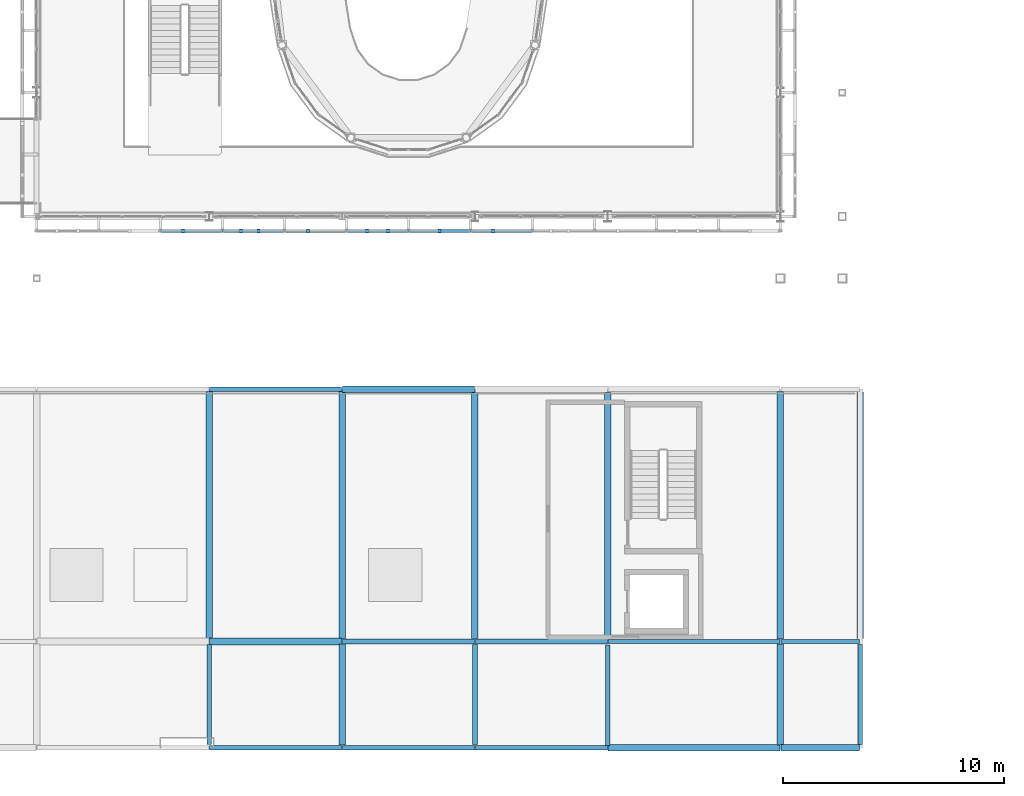
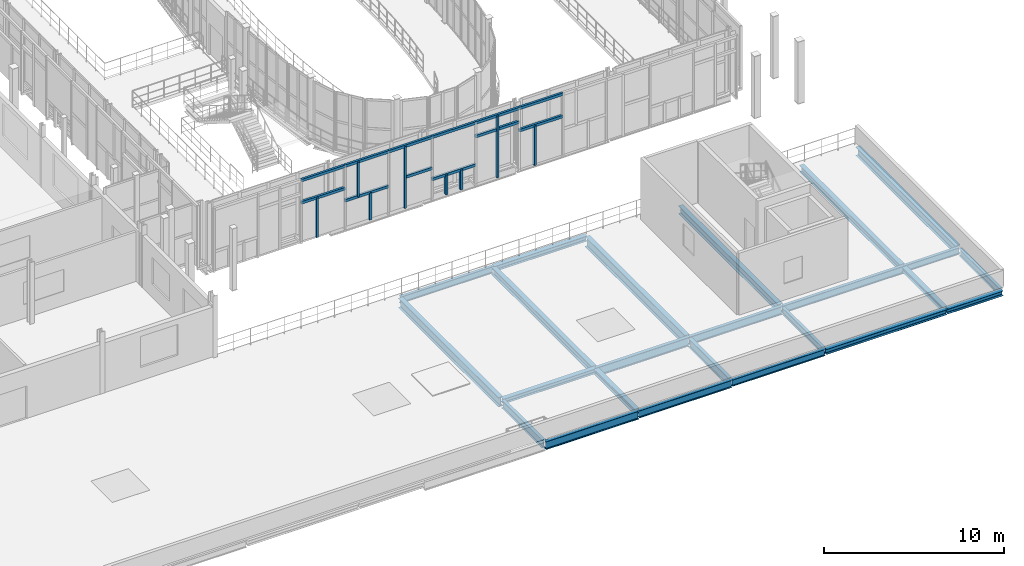
# One storey, part 28 of 138: 24 beams, 20 members.
"""IFC4 building model written with IfcOpenShell, lengths in metres."""

from ifc_helpers import new_model, si_unit, direction, frame, origin, origin_2d, place, context, subcontext, project, spatial, rectangle, i_section, extrude, material, material_profile, profile_set, type_object, element, save


model = new_model("IFC4")

# Units and contexts
model_context = context("Model", 3, precision=1e-05, world=origin(), true_north=direction((0.0, 1.0)))
body_context = subcontext(model_context, "Body", "Model", "MODEL_VIEW")
ifc_project = project(units=[si_unit("LENGTHUNIT", "METRE"), si_unit("AREAUNIT", "SQUARE_METRE"), si_unit("VOLUMEUNIT", "CUBIC_METRE"), si_unit("PLANEANGLEUNIT", "RADIAN"), si_unit("MASSUNIT", "GRAM", prefix="KILO")], contexts=[model_context])

# Site, building, storey
site_placement = place(None, origin())
site = spatial("IfcSite", under=ifc_project, at=site_placement, CompositionType="ELEMENT")
building_placement = place(site_placement, origin())
building = spatial("IfcBuilding", under=site, at=building_placement, Name="Vinh Khe Railworks Police Headquarters", CompositionType="ELEMENT")
storey_placement = place(building_placement, frame((0.0, 0.0, 9.0)))
storey = spatial("IfcBuildingStorey", under=building, at=storey_placement, Name="L02", CompositionType="ELEMENT", Elevation=9.0)

# Members
ifc_material_1 = material(Name="Salvaged ironwood timber", Category="wood")
ifc_material_profile_1 = material_profile(ifc_material_1, rectangle(XDim=0.139892578125, YDim=0.179931640625, at=origin_2d()), Name="TIMBER 140x180")
ifc_profile_set_1 = profile_set([ifc_material_profile_1], Name="Salvaged ironwood timber")
member_type = type_object("IfcMemberType", Name="MEM-QUILT-STILE", PredefinedType="CHORD", material=ifc_profile_set_1)
for number, where, z_axis, x_axis, name in (
    (1, (32.0, 24.550048828125, 4.1201171875), (1.0, 0.0, 0.0), (0.0, 1.0, 0.0), "Salvaged Timber Quilt Transom S-L02-02-TOP"),
    (2, (32.0, 24.550048828125, 2.60400390625), (1.0, 0.0, 0.0), (0.0, 1.0, 0.0), "Salvaged Timber Quilt Transom S-L02-02-M1"),
):
    element("IfcMember", number, at=place(storey_placement, frame(where, z_axis=z_axis, x_axis=x_axis)), inside=storey, type_object=member_type, Name=name, PredefinedType="CHORD", context=body_context, shape_type="SweptSolid", body=[
        extrude(rectangle(XDim=0.139892578125, YDim=0.179931640625, at=origin_2d()), origin(), (0.0, 0.0, 1.0), 2.800048828125),
    ])
member_1_placement = place(storey_placement, frame((33.008056640625, 24.550048828125, -0.080078125), z_axis=(0.0, 0.0, 1.0), x_axis=(1.0, 0.0, 0.0)))
element("IfcMember", 3, at=member_1_placement, inside=storey, type_object=member_type, Name="Salvaged Timber Quilt Stile S-L02-02-V1", PredefinedType="POST", context=body_context, shape_type="SweptSolid", body=[
    extrude(rectangle(XDim=0.139892578125, YDim=0.179931640625, at=origin_2d()), origin(), (0.0, 0.0, 1.0), 2.68408203125),
])
for number, where, z_axis, x_axis, name in (
    (4, (34.800048828125, 24.550048828125, 4.1201171875), (1.0, 0.0, 0.0), (0.0, 1.0, 0.0), "Salvaged Timber Quilt Transom S-L02-03-TOP"),
    (5, (34.800048828125, 24.550048828125, 1.763916015625), (1.0, 0.0, 0.0), (0.0, 1.0, 0.0), "Salvaged Timber Quilt Transom S-L02-03-M1"),
):
    element("IfcMember", number, at=place(storey_placement, frame(where, z_axis=z_axis, x_axis=x_axis)), inside=storey, type_object=member_type, Name=name, PredefinedType="CHORD", context=body_context, shape_type="SweptSolid", body=[
        extrude(rectangle(XDim=0.139892578125, YDim=0.179931640625, at=origin_2d()), origin(), (0.0, 0.0, 1.0), 2.800048828125),
    ])
member_2_placement = place(storey_placement, frame((36.424072265625, 24.550048828125, -0.080078125), z_axis=(0.0, 0.0, 1.0), x_axis=(1.0, 0.0, 0.0)))
element("IfcMember", 6, at=member_2_placement, inside=storey, type_object=member_type, Name="Salvaged Timber Quilt Stile S-L02-03-V1", PredefinedType="POST", context=body_context, shape_type="SweptSolid", body=[
    extrude(rectangle(XDim=0.139892578125, YDim=0.179931640625, at=origin_2d()), origin(), (0.0, 0.0, 1.0), 1.843994140625),
])
member_3_placement = place(storey_placement, frame((35.639892578125, 24.550048828125, 1.763916015625), z_axis=(0.0, 0.0, 1.0), x_axis=(1.0, 0.0, 0.0)))
element("IfcMember", 7, at=member_3_placement, inside=storey, type_object=member_type, Name="Salvaged Timber Quilt Stile S-L02-03-V2", PredefinedType="POST", context=body_context, shape_type="SweptSolid", body=[
    extrude(rectangle(XDim=0.139892578125, YDim=0.179931640625, at=origin_2d()), origin(), (0.0, 0.0, 1.0), 2.356201171875),
])
member_4_placement = place(storey_placement, frame((37.60009765625, 24.550048828125, 4.1201171875), z_axis=(1.0, 0.0, 0.0), x_axis=(0.0, 1.0, 0.0)))
element("IfcMember", 8, at=member_4_placement, inside=storey, type_object=member_type, Name="Salvaged Timber Quilt Transom S-L02-04-TOP", PredefinedType="CHORD", context=body_context, shape_type="SweptSolid", body=[
    extrude(rectangle(XDim=0.139892578125, YDim=0.179931640625, at=origin_2d()), origin(), (0.0, 0.0, 1.0), 2.7998046875),
])
member_5_placement = place(storey_placement, frame((38.6640625, 24.550048828125, -0.080078125), z_axis=(0.0, 0.0, 1.0), x_axis=(1.0, 0.0, 0.0)))
element("IfcMember", 9, at=member_5_placement, inside=storey, type_object=member_type, Name="Salvaged Timber Quilt Stile S-L02-04-V1", PredefinedType="POST", context=body_context, shape_type="SweptSolid", body=[
    extrude(rectangle(XDim=0.139892578125, YDim=0.179931640625, at=origin_2d()), origin(), (0.0, 0.0, 1.0), 4.2001953125),
])
member_6_placement = place(storey_placement, frame((38.6640625, 24.550048828125, 2.01611328125), z_axis=(1.0, 0.0, 0.0), x_axis=(0.0, 1.0, 0.0)))
element("IfcMember", 10, at=member_6_placement, inside=storey, type_object=member_type, Name="Salvaged Timber Quilt Transom S-L02-04-M1", PredefinedType="CHORD", context=body_context, shape_type="SweptSolid", body=[
    extrude(rectangle(XDim=0.139892578125, YDim=0.179931640625, at=origin_2d()), origin(), (0.0, 0.0, 1.0), 1.73583984375),
])
for number, where, z_axis, x_axis, name in (
    (11, (40.39990234375, 24.550048828125, 4.1201171875), (1.0, 0.0, 0.0), (0.0, 1.0, 0.0), "Salvaged Timber Quilt Transom S-L02-05-TOP"),
    (12, (40.39990234375, 24.550048828125, 1.260009765625), (1.0, 0.0, 0.0), (0.0, 1.0, 0.0), "Salvaged Timber Quilt Transom S-L02-05-M1"),
):
    element("IfcMember", number, at=place(storey_placement, frame(where, z_axis=z_axis, x_axis=x_axis)), inside=storey, type_object=member_type, Name=name, PredefinedType="CHORD", context=body_context, shape_type="SweptSolid", body=[
        extrude(rectangle(XDim=0.139892578125, YDim=0.179931640625, at=origin_2d()), origin(), (0.0, 0.0, 1.0), 2.800048828125),
    ])
for number, where, z_axis, x_axis, name in (
    (13, (41.323974609375, 24.550048828125, -0.080078125), (0.0, 0.0, 1.0), (1.0, 0.0, 0.0), "Salvaged Timber Quilt Stile S-L02-05-V1"),
    (14, (42.27587890625, 24.550048828125, -0.080078125), (0.0, 0.0, 1.0), (1.0, 0.0, 0.0), "Salvaged Timber Quilt Stile S-L02-05-V2"),
):
    element("IfcMember", number, at=place(storey_placement, frame(where, z_axis=z_axis, x_axis=x_axis)), inside=storey, type_object=member_type, Name=name, PredefinedType="POST", context=body_context, shape_type="SweptSolid", body=[
        extrude(rectangle(XDim=0.139892578125, YDim=0.179931640625, at=origin_2d()), origin(), (0.0, 0.0, 1.0), 1.340087890625),
    ])
for number, where, z_axis, x_axis, name in (
    (15, (43.199951171875, 24.550048828125, 4.1201171875), (1.0, 0.0, 0.0), (0.0, 1.0, 0.0), "Salvaged Timber Quilt Transom S-L02-06-TOP"),
    (16, (43.199951171875, 24.550048828125, 3.19189453125), (1.0, 0.0, 0.0), (0.0, 1.0, 0.0), "Salvaged Timber Quilt Transom S-L02-06-M1"),
):
    element("IfcMember", number, at=place(storey_placement, frame(where, z_axis=z_axis, x_axis=x_axis)), inside=storey, type_object=member_type, Name=name, PredefinedType="CHORD", context=body_context, shape_type="SweptSolid", body=[
        extrude(rectangle(XDim=0.139892578125, YDim=0.179931640625, at=origin_2d()), origin(), (0.0, 0.0, 1.0), 2.800048828125),
    ])
member_7_placement = place(storey_placement, frame((44.60009765625, 24.550048828125, -0.080078125), z_axis=(0.0, 0.0, 1.0), x_axis=(1.0, 0.0, 0.0)))
element("IfcMember", 17, at=member_7_placement, inside=storey, type_object=member_type, Name="Salvaged Timber Quilt Stile S-L02-06-V1", PredefinedType="POST", context=body_context, shape_type="SweptSolid", body=[
    extrude(rectangle(XDim=0.139892578125, YDim=0.179931640625, at=origin_2d()), origin(), (0.0, 0.0, 1.0), 4.2001953125),
])
for number, where, z_axis, x_axis, name in (
    (18, (46.0, 24.550048828125, 4.1201171875), (1.0, 0.0, 0.0), (0.0, 1.0, 0.0), "Salvaged Timber Quilt Transom S-L02-07-TOP"),
    (19, (46.0, 24.550048828125, 2.60400390625), (1.0, 0.0, 0.0), (0.0, 1.0, 0.0), "Salvaged Timber Quilt Transom S-L02-07-M1"),
):
    element("IfcMember", number, at=place(storey_placement, frame(where, z_axis=z_axis, x_axis=x_axis)), inside=storey, type_object=member_type, Name=name, PredefinedType="CHORD", context=body_context, shape_type="SweptSolid", body=[
        extrude(rectangle(XDim=0.139892578125, YDim=0.179931640625, at=origin_2d()), origin(), (0.0, 0.0, 1.0), 2.800048828125),
    ])
member_8_placement = place(storey_placement, frame((47.008056640625, 24.550048828125, -0.080078125), z_axis=(0.0, 0.0, 1.0), x_axis=(1.0, 0.0, 0.0)))
element("IfcMember", 20, at=member_8_placement, inside=storey, type_object=member_type, Name="Salvaged Timber Quilt Stile S-L02-07-V1", PredefinedType="POST", context=body_context, shape_type="SweptSolid", body=[
    extrude(rectangle(XDim=0.139892578125, YDim=0.179931640625, at=origin_2d()), origin(), (0.0, 0.0, 1.0), 2.68408203125),
])

# Beams
ifc_material_2 = material(Name="Steel S355JR", Category="steel")
ifc_material_profile_2 = material_profile(ifc_material_2, i_section(OverallWidth=0.300048828125, OverallDepth=0.330078125, WebThickness=0.009521484375, FlangeThickness=0.0166015625, FilletRadius=0.027099609375, at=origin_2d()), Name="HEA 340")
ifc_profile_set_2 = profile_set([ifc_material_profile_2], Name="Steel S355JR")
beam_type_1 = type_object("IfcBeamType", Name="Steel Girder HEA 340", PredefinedType="BEAM", material=ifc_profile_set_2)
beam_1_placement = place(storey_placement, frame((60.02001953125, 1.199951171875, -0.385009765625), z_axis=(1.0, 0.0, 0.0), x_axis=(0.0, 1.0, 0.0)))
element("IfcBeam", 21, at=beam_1_placement, inside=storey, type_object=beam_type_1, Name="Girder BM-L02-EW-SB-16-0740", PredefinedType="BEAM", context=body_context, shape_type="SweptSolid", body=[
    extrude(i_section(OverallWidth=0.300048828125, OverallDepth=0.330078125, WebThickness=0.009521484375, FlangeThickness=0.0166015625, FilletRadius=0.027099609375, at=origin_2d()), origin(), (0.0, 0.0, 1.0), 3.56005859375),
])
beam_2_placement = place(storey_placement, frame((34.219970703125, 6.0, -0.385009765625), z_axis=(1.0, 0.0, 0.0), x_axis=(0.0, 1.0, 0.0)))
element("IfcBeam", 22, at=beam_2_placement, inside=storey, type_object=beam_type_1, Name="Girder BM-L02-EW-SB-16-0746", PredefinedType="BEAM", context=body_context, shape_type="SweptSolid", body=[
    extrude(i_section(OverallWidth=0.300048828125, OverallDepth=0.330078125, WebThickness=0.009521484375, FlangeThickness=0.0166015625, FilletRadius=0.027099609375, at=origin_2d()), origin(), (0.0, 0.0, 1.0), 5.9599609375),
])
beam_3_placement = place(storey_placement, frame((60.0, 1.324951171875, -0.385009765625), z_axis=(0.0, 1.0, 0.0), x_axis=(-1.0, 0.0, 0.0)))
element("IfcBeam", 23, at=beam_3_placement, inside=storey, type_object=beam_type_1, Name="Girder BM-L02-NS-SB-16-0962", PredefinedType="BEAM", context=body_context, shape_type="SweptSolid", body=[
    extrude(i_section(OverallWidth=0.300048828125, OverallDepth=0.330078125, WebThickness=0.009521484375, FlangeThickness=0.0166015625, FilletRadius=0.027099609375, at=origin_2d()), origin(), (0.0, 0.0, 1.0), 4.56005859375),
])
ifc_material_profile_3 = material_profile(ifc_material_2, i_section(OverallWidth=0.300048828125, OverallDepth=0.35009765625, WebThickness=0.010009765625, FlangeThickness=0.017578125, FilletRadius=0.027099609375, at=origin_2d()), Name="HEA 360")
ifc_profile_set_3 = profile_set([ifc_material_profile_3], Name="Steel S355JR")
beam_type_2 = type_object("IfcBeamType", Name="Steel Girder HEA 360", PredefinedType="BEAM", material=ifc_profile_set_3)
beam_4_placement = place(storey_placement, frame((52.219970703125, 1.199951171875, -0.39501953125), z_axis=(1.0, 0.0, 0.0), x_axis=(0.0, 1.0, 0.0)))
element("IfcBeam", 24, at=beam_4_placement, inside=storey, type_object=beam_type_2, Name="Girder BM-L02-EW-SB-15-0739", PredefinedType="BEAM", context=body_context, shape_type="SweptSolid", body=[
    extrude(i_section(OverallWidth=0.300048828125, OverallDepth=0.35009765625, WebThickness=0.010009765625, FlangeThickness=0.017578125, FilletRadius=0.027099609375, at=origin_2d()), origin(), (0.0, 0.0, 1.0), 7.760009765625),
])
beam_5_placement = place(storey_placement, frame((40.219970703125, 17.39990234375, -0.39501953125), z_axis=(1.0, 0.0, 0.0), x_axis=(0.0, 1.0, 0.0)))
element("IfcBeam", 25, at=beam_5_placement, inside=storey, type_object=beam_type_2, Name="Girder BM-L02-EW-SB-15-0757", PredefinedType="BEAM", context=body_context, shape_type="SweptSolid", body=[
    extrude(i_section(OverallWidth=0.300048828125, OverallDepth=0.35009765625, WebThickness=0.010009765625, FlangeThickness=0.017578125, FilletRadius=0.027099609375, at=origin_2d()), origin(), (0.0, 0.0, 1.0), 5.9599609375),
])
beam_6_placement = place(storey_placement, frame((40.199951171875, 1.324951171875, -0.39501953125), z_axis=(0.0, 1.0, 0.0), x_axis=(-1.0, 0.0, 0.0)))
element("IfcBeam", 26, at=beam_6_placement, inside=storey, type_object=beam_type_2, Name="Girder BM-L02-NS-SB-15-0955", PredefinedType="BEAM", context=body_context, shape_type="SweptSolid", body=[
    extrude(i_section(OverallWidth=0.300048828125, OverallDepth=0.35009765625, WebThickness=0.010009765625, FlangeThickness=0.017578125, FilletRadius=0.027099609375, at=origin_2d()), origin(), (0.0, 0.0, 1.0), 4.56005859375),
])
ifc_material_profile_4 = material_profile(ifc_material_2, i_section(OverallWidth=0.300048828125, OverallDepth=0.590087890625, WebThickness=0.012939453125, FlangeThickness=0.02490234375, FilletRadius=0.027099609375, at=origin_2d()), Name="HEA 600")
ifc_profile_set_4 = profile_set([ifc_material_profile_4], Name="Steel S355JR")
beam_type_3 = type_object("IfcBeamType", Name="Steel Girder HEA 600", PredefinedType="BEAM", material=ifc_profile_set_4)
beam_7_placement = place(storey_placement, frame((63.60009765625, 6.14501953125, -0.514892578125), z_axis=(0.0, 1.0, 0.0), x_axis=(-1.0, 0.0, 0.0)))
element("IfcBeam", 27, at=beam_7_placement, inside=storey, type_object=beam_type_3, Name="Girder BM-L02-NS-SB-10-0972", PredefinedType="BEAM", context=body_context, shape_type="SweptSolid", body=[
    extrude(i_section(OverallWidth=0.300048828125, OverallDepth=0.590087890625, WebThickness=0.012939453125, FlangeThickness=0.02490234375, FilletRadius=0.027099609375, at=origin_2d()), origin(), (0.0, 0.0, 1.0), 11.1298828125),
])
ifc_material_profile_5 = material_profile(ifc_material_2, i_section(OverallWidth=0.300048828125, OverallDepth=0.639892578125, WebThickness=0.013427734375, FlangeThickness=0.02587890625, FilletRadius=0.027099609375, at=origin_2d()), Name="HEA 650")
ifc_profile_set_5 = profile_set([ifc_material_profile_5], Name="Steel S355JR")
beam_type_4 = type_object("IfcBeamType", Name="Steel Girder HEA 650", PredefinedType="BEAM", material=ifc_profile_set_5)
beam_8_placement = place(storey_placement, frame((34.199951171875, 6.125, -0.5400390625), z_axis=(0.0, 1.0, 0.0), x_axis=(-1.0, 0.0, 0.0)))
element("IfcBeam", 28, at=beam_8_placement, inside=storey, type_object=beam_type_4, Name="Girder BM-L02-NS-SB-09-0953", PredefinedType="BEAM", context=body_context, shape_type="SweptSolid", body=[
    extrude(i_section(OverallWidth=0.300048828125, OverallDepth=0.639892578125, WebThickness=0.013427734375, FlangeThickness=0.02587890625, FilletRadius=0.027099609375, at=origin_2d()), origin(), (0.0, 0.0, 1.0), 11.159912109375),
])
ifc_material_profile_6 = material_profile(ifc_material_2, i_section(OverallWidth=0.300048828125, OverallDepth=0.68994140625, WebThickness=0.014404296875, FlangeThickness=0.027099609375, FilletRadius=0.027099609375, at=origin_2d()), Name="HEA 700")
ifc_profile_set_6 = profile_set([ifc_material_profile_6], Name="Steel S355JR")
beam_type_5 = type_object("IfcBeamType", Name="Steel Girder HEA 700", PredefinedType="BEAM", material=ifc_profile_set_6)
beam_9_placement = place(storey_placement, frame((46.199951171875, 6.14501953125, -0.56494140625), z_axis=(0.0, 1.0, 0.0), x_axis=(-1.0, 0.0, 0.0)))
element("IfcBeam", 29, at=beam_9_placement, inside=storey, type_object=beam_type_5, Name="Girder BM-L02-NS-SB-08-0958", PredefinedType="BEAM", context=body_context, shape_type="SweptSolid", body=[
    extrude(i_section(OverallWidth=0.300048828125, OverallDepth=0.68994140625, WebThickness=0.014404296875, FlangeThickness=0.027099609375, FilletRadius=0.027099609375, at=origin_2d()), origin(), (0.0, 0.0, 1.0), 11.1298828125),
])
ifc_material_profile_7 = material_profile(ifc_material_2, i_section(OverallWidth=0.300048828125, OverallDepth=0.449951171875, WebThickness=0.013916015625, FlangeThickness=0.02587890625, FilletRadius=0.027099609375, at=origin_2d()), Name="HEB 450")
ifc_profile_set_7 = profile_set([ifc_material_profile_7], Name="Steel S355JR")
beam_type_6 = type_object("IfcBeamType", Name="Steel Girder HEB 450", PredefinedType="BEAM", material=ifc_profile_set_7)
beam_10_placement = place(storey_placement, frame((60.0, 6.114990234375, -0.445068359375), z_axis=(0.0, 1.0, 0.0), x_axis=(-1.0, 0.0, 0.0)))
element("IfcBeam", 30, at=beam_10_placement, inside=storey, type_object=beam_type_6, Name="Girder BM-L02-NS-SB-07-0963", PredefinedType="BEAM", context=body_context, shape_type="SweptSolid", body=[
    extrude(i_section(OverallWidth=0.300048828125, OverallDepth=0.449951171875, WebThickness=0.013916015625, FlangeThickness=0.02587890625, FilletRadius=0.027099609375, at=origin_2d()), origin(), (0.0, 0.0, 1.0), 11.18994140625),
])
ifc_material_profile_8 = material_profile(ifc_material_2, i_section(OverallWidth=0.300048828125, OverallDepth=0.5, WebThickness=0.014404296875, FlangeThickness=0.028076171875, FilletRadius=0.027099609375, at=origin_2d()), Name="HEB 500")
ifc_profile_set_8 = profile_set([ifc_material_profile_8], Name="Steel S355JR")
beam_type_7 = type_object("IfcBeamType", Name="Steel Girder HEB 500", PredefinedType="BEAM", material=ifc_profile_set_8)
beam_11_placement = place(storey_placement, frame((40.199951171875, 6.114990234375, -0.469970703125), z_axis=(0.0, 1.0, 0.0), x_axis=(-1.0, 0.0, 0.0)))
element("IfcBeam", 31, at=beam_11_placement, inside=storey, type_object=beam_type_7, Name="Girder BM-L02-NS-SB-06-0956", PredefinedType="BEAM", context=body_context, shape_type="SweptSolid", body=[
    extrude(i_section(OverallWidth=0.300048828125, OverallDepth=0.5, WebThickness=0.014404296875, FlangeThickness=0.028076171875, FilletRadius=0.027099609375, at=origin_2d()), origin(), (0.0, 0.0, 1.0), 11.18994140625),
])
ifc_material_profile_9 = material_profile(ifc_material_2, i_section(OverallWidth=0.300048828125, OverallDepth=0.550048828125, WebThickness=0.014892578125, FlangeThickness=0.029052734375, FilletRadius=0.027099609375, at=origin_2d()), Name="HEB 550")
ifc_profile_set_9 = profile_set([ifc_material_profile_9], Name="Steel S355JR")
beam_type_8 = type_object("IfcBeamType", Name="Steel Girder HEB 550", PredefinedType="BEAM", material=ifc_profile_set_9)
beam_12_placement = place(storey_placement, frame((52.199951171875, 6.155029296875, -0.4951171875), z_axis=(0.0, 1.0, 0.0), x_axis=(-1.0, 0.0, 0.0)))
element("IfcBeam", 32, at=beam_12_placement, inside=storey, type_object=beam_type_8, Name="Girder BM-L02-NS-SB-05-0961", PredefinedType="BEAM", context=body_context, shape_type="SweptSolid", body=[
    extrude(i_section(OverallWidth=0.300048828125, OverallDepth=0.550048828125, WebThickness=0.014892578125, FlangeThickness=0.029052734375, FilletRadius=0.027099609375, at=origin_2d()), origin(), (0.0, 0.0, 1.0), 11.099853515625),
])
ifc_material_profile_10 = material_profile(ifc_material_2, i_section(OverallWidth=0.18994140625, OverallDepth=0.449951171875, WebThickness=0.009521484375, FlangeThickness=0.0146484375, FilletRadius=0.02099609375, at=origin_2d()), Name="IPE 450")
ifc_profile_set_10 = profile_set([ifc_material_profile_10], Name="Steel S355JR")
beam_type_9 = type_object("IfcBeamType", Name="Steel Girder IPE 450", PredefinedType="BEAM", material=ifc_profile_set_10)
beam_13_placement = place(storey_placement, frame((46.219970703125, 1.199951171875, -0.445068359375), z_axis=(1.0, 0.0, 0.0), x_axis=(0.0, 1.0, 0.0)))
element("IfcBeam", 33, at=beam_13_placement, inside=storey, type_object=beam_type_9, Name="Girder BM-L02-EW-SB-20-0738", PredefinedType="BEAM", context=body_context, shape_type="SweptSolid", body=[
    extrude(i_section(OverallWidth=0.18994140625, OverallDepth=0.449951171875, WebThickness=0.009521484375, FlangeThickness=0.0146484375, FilletRadius=0.02099609375, at=origin_2d()), origin(), (0.0, 0.0, 1.0), 5.9599609375),
])
beam_14_placement = place(storey_placement, frame((60.02001953125, 6.0, -0.445068359375), z_axis=(1.0, 0.0, 0.0), x_axis=(0.0, 1.0, 0.0)))
element("IfcBeam", 34, at=beam_14_placement, inside=storey, type_object=beam_type_9, Name="Girder BM-L02-EW-SB-20-0750", PredefinedType="BEAM", context=body_context, shape_type="SweptSolid", body=[
    extrude(i_section(OverallWidth=0.18994140625, OverallDepth=0.449951171875, WebThickness=0.009521484375, FlangeThickness=0.0146484375, FilletRadius=0.02099609375, at=origin_2d()), origin(), (0.0, 0.0, 1.0), 3.56005859375),
])
beam_15_placement = place(storey_placement, frame((34.219970703125, 17.39990234375, -0.445068359375), z_axis=(1.0, 0.0, 0.0), x_axis=(0.0, 1.0, 0.0)))
element("IfcBeam", 35, at=beam_15_placement, inside=storey, type_object=beam_type_9, Name="Girder BM-L02-EW-SB-20-0756", PredefinedType="BEAM", context=body_context, shape_type="SweptSolid", body=[
    extrude(i_section(OverallWidth=0.18994140625, OverallDepth=0.449951171875, WebThickness=0.009521484375, FlangeThickness=0.0146484375, FilletRadius=0.02099609375, at=origin_2d()), origin(), (0.0, 0.0, 1.0), 5.9599609375),
])
beam_16_placement = place(storey_placement, frame((52.199951171875, 1.294921875, -0.445068359375), z_axis=(0.0, 1.0, 0.0), x_axis=(-1.0, 0.0, 0.0)))
element("IfcBeam", 36, at=beam_16_placement, inside=storey, type_object=beam_type_9, Name="Girder BM-L02-NS-SB-20-0960", PredefinedType="BEAM", context=body_context, shape_type="SweptSolid", body=[
    extrude(i_section(OverallWidth=0.18994140625, OverallDepth=0.449951171875, WebThickness=0.009521484375, FlangeThickness=0.0146484375, FilletRadius=0.02099609375, at=origin_2d()), origin(), (0.0, 0.0, 1.0), 4.550048828125),
])
ifc_material_profile_11 = material_profile(ifc_material_2, i_section(OverallWidth=0.199951171875, OverallDepth=0.5, WebThickness=0.01025390625, FlangeThickness=0.01611328125, FilletRadius=0.02099609375, at=origin_2d()), Name="IPE 500")
ifc_profile_set_11 = profile_set([ifc_material_profile_11], Name="Steel S355JR")
beam_type_10 = type_object("IfcBeamType", Name="Steel Girder IPE 500", PredefinedType="BEAM", material=ifc_profile_set_11)
beam_17_placement = place(storey_placement, frame((40.219970703125, 1.199951171875, -0.469970703125), z_axis=(1.0, 0.0, 0.0), x_axis=(0.0, 1.0, 0.0)))
element("IfcBeam", 37, at=beam_17_placement, inside=storey, type_object=beam_type_10, Name="Girder BM-L02-EW-SB-19-0737", PredefinedType="BEAM", context=body_context, shape_type="SweptSolid", body=[
    extrude(i_section(OverallWidth=0.199951171875, OverallDepth=0.5, WebThickness=0.01025390625, FlangeThickness=0.01611328125, FilletRadius=0.02099609375, at=origin_2d()), origin(), (0.0, 0.0, 1.0), 5.9599609375),
])
beam_18_placement = place(storey_placement, frame((52.219970703125, 6.0, -0.469970703125), z_axis=(1.0, 0.0, 0.0), x_axis=(0.0, 1.0, 0.0)))
element("IfcBeam", 38, at=beam_18_placement, inside=storey, type_object=beam_type_10, Name="Girder BM-L02-EW-SB-19-0749", PredefinedType="BEAM", context=body_context, shape_type="SweptSolid", body=[
    extrude(i_section(OverallWidth=0.199951171875, OverallDepth=0.5, WebThickness=0.01025390625, FlangeThickness=0.01611328125, FilletRadius=0.02099609375, at=origin_2d()), origin(), (0.0, 0.0, 1.0), 7.760009765625),
])
beam_19_placement = place(storey_placement, frame((63.60009765625, 1.35498046875, -0.469970703125), z_axis=(0.0, 1.0, 0.0), x_axis=(-1.0, 0.0, 0.0)))
element("IfcBeam", 39, at=beam_19_placement, inside=storey, type_object=beam_type_10, Name="Girder BM-L02-NS-SB-19-0971", PredefinedType="BEAM", context=body_context, shape_type="SweptSolid", body=[
    extrude(i_section(OverallWidth=0.199951171875, OverallDepth=0.5, WebThickness=0.01025390625, FlangeThickness=0.01611328125, FilletRadius=0.02099609375, at=origin_2d()), origin(), (0.0, 0.0, 1.0), 4.5),
])
ifc_material_profile_12 = material_profile(ifc_material_2, i_section(OverallWidth=0.2099609375, OverallDepth=0.550048828125, WebThickness=0.010986328125, FlangeThickness=0.01708984375, FilletRadius=0.02392578125, at=origin_2d()), Name="IPE 550")
ifc_profile_set_12 = profile_set([ifc_material_profile_12], Name="Steel S355JR")
beam_type_11 = type_object("IfcBeamType", Name="Steel Girder IPE 550", PredefinedType="BEAM", material=ifc_profile_set_12)
for number, where, z_axis, x_axis, name in (
    (40, (34.219970703125, 1.199951171875, -0.4951171875), (1.0, 0.0, 0.0), (0.0, 1.0, 0.0), "Girder BM-L02-EW-SB-18-0736"),
    (41, (46.219970703125, 6.0, -0.4951171875), (1.0, 0.0, 0.0), (0.0, 1.0, 0.0), "Girder BM-L02-EW-SB-18-0748"),
):
    element("IfcBeam", number, at=place(storey_placement, frame(where, z_axis=z_axis, x_axis=x_axis)), inside=storey, type_object=beam_type_11, Name=name, PredefinedType="BEAM", context=body_context, shape_type="SweptSolid", body=[
        extrude(i_section(OverallWidth=0.2099609375, OverallDepth=0.550048828125, WebThickness=0.010986328125, FlangeThickness=0.01708984375, FilletRadius=0.02392578125, at=origin_2d()), origin(), (0.0, 0.0, 1.0), 5.9599609375),
    ])
beam_20_placement = place(storey_placement, frame((34.199951171875, 1.344970703125, -0.4951171875), z_axis=(0.0, 1.0, 0.0), x_axis=(-1.0, 0.0, 0.0)))
element("IfcBeam", 42, at=beam_20_placement, inside=storey, type_object=beam_type_11, Name="Girder BM-L02-NS-SB-18-0952", PredefinedType="BEAM", context=body_context, shape_type="SweptSolid", body=[
    extrude(i_section(OverallWidth=0.2099609375, OverallDepth=0.550048828125, WebThickness=0.010986328125, FlangeThickness=0.01708984375, FilletRadius=0.02392578125, at=origin_2d()), origin(), (0.0, 0.0, 1.0), 4.530029296875),
])
ifc_material_profile_13 = material_profile(ifc_material_2, i_section(OverallWidth=0.219970703125, OverallDepth=0.60009765625, WebThickness=0.011962890625, FlangeThickness=0.01904296875, FilletRadius=0.02392578125, at=origin_2d()), Name="IPE 600")
ifc_profile_set_13 = profile_set([ifc_material_profile_13], Name="Steel S355JR")
beam_type_12 = type_object("IfcBeamType", Name="Steel Girder IPE 600", PredefinedType="BEAM", material=ifc_profile_set_13)
beam_21_placement = place(storey_placement, frame((40.219970703125, 6.0, -0.52001953125), z_axis=(1.0, 0.0, 0.0), x_axis=(0.0, 1.0, 0.0)))
element("IfcBeam", 43, at=beam_21_placement, inside=storey, type_object=beam_type_12, Name="Girder BM-L02-EW-SB-17-0747", PredefinedType="BEAM", context=body_context, shape_type="SweptSolid", body=[
    extrude(i_section(OverallWidth=0.219970703125, OverallDepth=0.60009765625, WebThickness=0.011962890625, FlangeThickness=0.01904296875, FilletRadius=0.02392578125, at=origin_2d()), origin(), (0.0, 0.0, 1.0), 5.9599609375),
])
beam_22_placement = place(storey_placement, frame((46.199951171875, 1.35498046875, -0.52001953125), z_axis=(0.0, 1.0, 0.0), x_axis=(-1.0, 0.0, 0.0)))
element("IfcBeam", 44, at=beam_22_placement, inside=storey, type_object=beam_type_12, Name="Girder BM-L02-NS-SB-17-0957", PredefinedType="BEAM", context=body_context, shape_type="SweptSolid", body=[
    extrude(i_section(OverallWidth=0.219970703125, OverallDepth=0.60009765625, WebThickness=0.011962890625, FlangeThickness=0.01904296875, FilletRadius=0.02392578125, at=origin_2d()), origin(), (0.0, 0.0, 1.0), 4.5),
])

save(model, "model.ifc")
